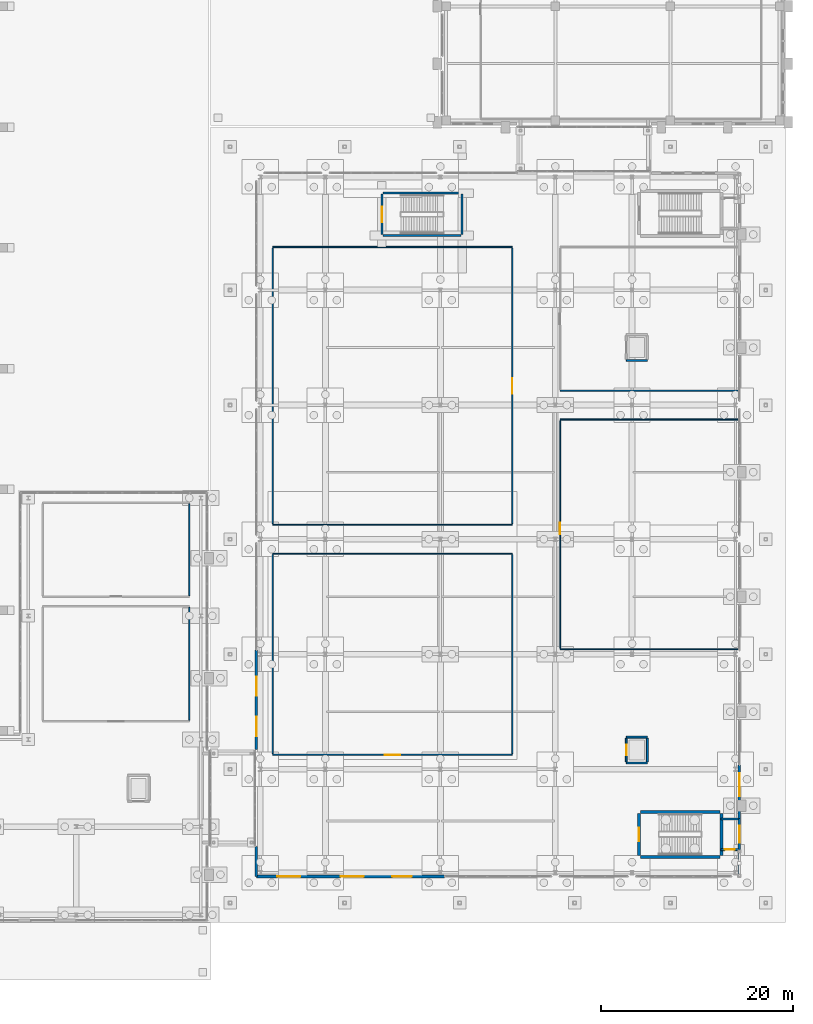
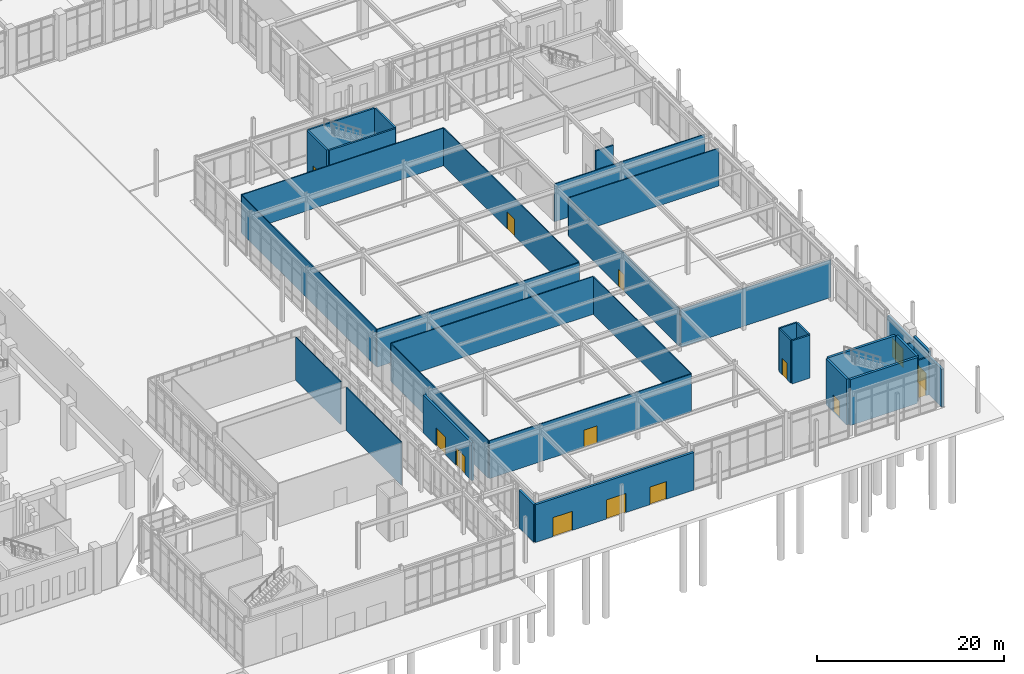
# One storey, part 116 of 143: 35 walls, 14 doors, 14 openings.
"""IFC4 building model written with IfcOpenShell, lengths in metres."""

from ifc_helpers import new_model, si_unit, derived_unit, direction, frame, frame_2d, origin, place, context, subcontext, project, spatial, rectangle, extrude, material, layer, layer_set, type_object, element, fill, save


model = new_model("IFC4")

# Units and contexts
model_context = context("Model", 3, precision=1e-05, world=origin(), true_north=direction((0.0, 1.0)))
body_context = subcontext(model_context, "Body", "Model", "MODEL_VIEW")
ifc_project = project(units=[si_unit("LENGTHUNIT", "METRE"), si_unit("AREAUNIT", "SQUARE_METRE"), si_unit("VOLUMEUNIT", "CUBIC_METRE"), si_unit("PLANEANGLEUNIT", "RADIAN"), si_unit("MASSUNIT", "GRAM", prefix="KILO"), derived_unit("THERMALTRANSMITTANCEUNIT", [(si_unit("MASSUNIT", "GRAM", prefix="KILO"), 1), (si_unit("TIMEUNIT", "SECOND"), -3), (si_unit("THERMODYNAMICTEMPERATUREUNIT", "KELVIN"), -1)])], contexts=[model_context])

# Site, building, storey
site_placement = place(None, origin())
site = spatial("IfcSite", under=ifc_project, at=site_placement, CompositionType="ELEMENT")
building_placement = place(site_placement, origin())
building = spatial("IfcBuilding", under=site, at=building_placement, Name="Valcora Ridge Arena", CompositionType="ELEMENT")
storey_placement = place(building_placement, origin())
storey = spatial("IfcBuildingStorey", under=building, at=storey_placement, Name="L00", CompositionType="ELEMENT", Elevation=0.0)

# Wall
ifc_material_1 = material(Name="Bush-hammered Andean travertine on concrete backup C40/50", Category="masonry")
ifc_layer_1 = layer(ifc_material_1, 0.280029296875, Name="Bush-hammered Andean travertine on concrete backup C40/50")
ifc_layer_set_1 = layer_set([ifc_layer_1], Name="Bush-hammered Andean travertine on concrete backup C40/50")
wall_type_1 = type_object("IfcWallType", Name="TY-WALL-EW-TRV-28-49", PredefinedType="STANDARD", material=ifc_layer_set_1)
wall_1_placement = place(storey_placement, frame((136.800048828125, 4.800048828125, 0.0), z_axis=(0.0, 0.0, 1.0), x_axis=(0.0, 1.0, 0.0)))
element("IfcWall", 1, at=wall_1_placement, inside=storey, type_object=wall_type_1, Name="EW-TRV-28-49 WAL-EW-0006", PredefinedType="STANDARD", context=body_context, shape_type="SweptSolid", body=[
    extrude(rectangle(XDim=3.14990234375, YDim=0.280029296875, at=frame_2d((1.574951171875, 0.0))), origin(), (0.0, 0.0, 1.0), 4.927001953125),
])

# Wall, openings, doors
wall_2_placement = place(storey_placement, frame((136.800048828125, 18.050048828125, 0.0), z_axis=(0.0, 0.0, 1.0), x_axis=(0.0, 1.0, 0.0)))
wall_2 = element("IfcWall", 2, at=wall_2_placement, inside=storey, type_object=wall_type_1, Name="EW-TRV-28-49 WAL-EW-0007", PredefinedType="STANDARD", context=body_context, shape_type="SweptSolid", body=[
    extrude(rectangle(XDim=10.369873046875, YDim=0.280029296875, at=frame_2d((5.18505859375, 0.0))), origin(), (0.0, 0.0, 1.0), 4.927001953125),
])
opening_1_placement = place(wall_2_placement, frame((1.39990234375, 0.0, 0.0)))
opening_1 = element("IfcOpeningElement", 3, at=opening_1_placement, cuts=wall_2, Name="Opening D-EXIT-2000", PredefinedType="OPENING", context=body_context, shape_type="SweptSolid", body=[
    extrude(rectangle(XDim=2.0, YDim=2.300048828125, at=frame_2d((1.0, 1.14990234375))), frame((0.0, 0.14990234375, 0.0), z_axis=(0.0, -1.0, 0.0), x_axis=(1.0, 0.0, 0.0)), (0.0, 0.0, 1.0), 0.300048828125),
])
opening_2_placement = place(wall_2_placement, frame((5.60009765625, 0.0, 0.0)))
opening_2 = element("IfcOpeningElement", 4, at=opening_2_placement, cuts=wall_2, Name="Opening D-EXIT-2000", PredefinedType="OPENING", context=body_context, shape_type="SweptSolid", body=[
    extrude(rectangle(XDim=2.0, YDim=2.300048828125, at=frame_2d((1.0, 1.14990234375))), frame((0.0, 0.14990234375, 0.0), z_axis=(0.0, -1.0, 0.0), x_axis=(1.0, 0.0, 0.0)), (0.0, 0.0, 1.0), 0.300048828125),
])
ifc_material_2 = material(Name="Thermally broken bronze aluminium glazed entrance leaf", Category="aluminium")
door_type_1 = type_object("IfcDoorType", Name="TY-DOOR-D-EXIT-2000", OperationType="NOTDEFINED", PredefinedType="DOOR", material=ifc_material_2)
door_1_placement = place(opening_1_placement, origin())
door_1 = element("IfcDoor", 5, at=door_1_placement, inside=storey, type_object=door_type_1, Name="D-EXIT-2000 DOR-EX-0003", OperationType="DOUBLE_DOOR_SINGLE_SWING", OverallHeight=2.300048828125, OverallWidth=2.0, PredefinedType="DOOR", context=body_context, shape_type="SweptSolid", body=[
    extrude(rectangle(XDim=2.0, YDim=2.300048828125, at=frame_2d((1.0, 1.14990234375))), frame((0.0, 0.02490234375, 0.0), z_axis=(0.0, -1.0, 0.0), x_axis=(1.0, 0.0, 0.0)), (0.0, 0.0, 1.0), 0.050048828125),
])
fill(opening_1, door_1)
door_2_placement = place(opening_2_placement, origin())
door_2 = element("IfcDoor", 6, at=door_2_placement, inside=storey, type_object=door_type_1, Name="D-EXIT-2000 DOR-EX-0004", OperationType="DOUBLE_DOOR_SINGLE_SWING", OverallHeight=2.300048828125, OverallWidth=2.0, PredefinedType="DOOR", context=body_context, shape_type="SweptSolid", body=[
    extrude(rectangle(XDim=2.0, YDim=2.300048828125, at=frame_2d((1.0, 1.14990234375))), frame((0.0, 0.02490234375, 0.0), z_axis=(0.0, -1.0, 0.0), x_axis=(1.0, 0.0, 0.0)), (0.0, 0.0, 1.0), 0.050048828125),
])
fill(opening_2, door_2)

wall_3_placement = place(storey_placement, frame((136.800048828125, 4.800048828125, 0.0), z_axis=(0.0, 0.0, 1.0), x_axis=(1.0, 0.0, 0.0)))
wall_3 = element("IfcWall", 7, at=wall_3_placement, inside=storey, type_object=wall_type_1, Name="EW-TRV-28-49 WAL-EW-0008", PredefinedType="STANDARD", context=body_context, shape_type="SweptSolid", body=[
    extrude(rectangle(XDim=19.619873046875, YDim=0.280029296875, at=frame_2d((9.81005859375, 0.0))), origin(), (0.0, 0.0, 1.0), 4.927001953125),
])
opening_3_placement = place(wall_3_placement, frame((2.199951171875, 0.0, 0.0)))
opening_3 = element("IfcOpeningElement", 8, at=opening_3_placement, cuts=wall_3, Name="Opening E-MAIN-2400", PredefinedType="OPENING", context=body_context, shape_type="SweptSolid", body=[
    extrude(rectangle(XDim=2.39990234375, YDim=2.5, at=frame_2d((1.199951171875, 1.25))), frame((0.0, 0.14990234375, 0.0), z_axis=(0.0, -1.0, 0.0), x_axis=(1.0, 0.0, 0.0)), (0.0, 0.0, 1.0), 0.300048828125),
])
opening_4_placement = place(wall_3_placement, frame((8.800048828125, 0.0, 0.0)))
opening_4 = element("IfcOpeningElement", 9, at=opening_4_placement, cuts=wall_3, Name="Opening E-MAIN-2400", PredefinedType="OPENING", context=body_context, shape_type="SweptSolid", body=[
    extrude(rectangle(XDim=2.39990234375, YDim=2.5, at=frame_2d((1.199951171875, 1.25))), frame((0.0, 0.14990234375, 0.0), z_axis=(0.0, -1.0, 0.0), x_axis=(1.0, 0.0, 0.0)), (0.0, 0.0, 1.0), 0.300048828125),
])
opening_5_placement = place(wall_3_placement, frame((14.199951171875, 0.0, 0.0)))
opening_5 = element("IfcOpeningElement", 10, at=opening_5_placement, cuts=wall_3, Name="Opening D-EXIT-2000", PredefinedType="OPENING", context=body_context, shape_type="SweptSolid", body=[
    extrude(rectangle(XDim=2.0, YDim=2.300048828125, at=frame_2d((1.0, 1.14990234375))), frame((0.0, 0.14990234375, 0.0), z_axis=(0.0, -1.0, 0.0), x_axis=(1.0, 0.0, 0.0)), (0.0, 0.0, 1.0), 0.300048828125),
])
door_3_placement = place(opening_5_placement, origin())
door_3 = element("IfcDoor", 11, at=door_3_placement, inside=storey, type_object=door_type_1, Name="D-EXIT-2000 DOR-EX-0007", OperationType="DOUBLE_DOOR_SINGLE_SWING", OverallHeight=2.300048828125, OverallWidth=2.0, PredefinedType="DOOR", context=body_context, shape_type="SweptSolid", body=[
    extrude(rectangle(XDim=2.0, YDim=2.300048828125, at=frame_2d((1.0, 1.14990234375))), frame((0.0, 0.02490234375, 0.0), z_axis=(0.0, -1.0, 0.0), x_axis=(1.0, 0.0, 0.0)), (0.0, 0.0, 1.0), 0.050048828125),
])
fill(opening_5, door_3)
door_type_2 = type_object("IfcDoorType", Name="TY-DOOR-E-MAIN-2400", OperationType="NOTDEFINED", PredefinedType="DOOR", material=ifc_material_2)
door_4_placement = place(opening_3_placement, origin())
door_4 = element("IfcDoor", 12, at=door_4_placement, inside=storey, type_object=door_type_2, Name="E-MAIN-2400 DOR-EX-0005", OperationType="DOUBLE_DOOR_SINGLE_SWING", OverallHeight=2.5, OverallWidth=2.39990234375, PredefinedType="DOOR", context=body_context, shape_type="SweptSolid", body=[
    extrude(rectangle(XDim=2.39990234375, YDim=2.5, at=frame_2d((1.199951171875, 1.25))), frame((0.0, 0.02490234375, 0.0), z_axis=(0.0, -1.0, 0.0), x_axis=(1.0, 0.0, 0.0)), (0.0, 0.0, 1.0), 0.050048828125),
])
fill(opening_3, door_4)
door_5_placement = place(opening_4_placement, origin())
door_5 = element("IfcDoor", 13, at=door_5_placement, inside=storey, type_object=door_type_2, Name="E-MAIN-2400 DOR-EX-0006", OperationType="DOUBLE_DOOR_SINGLE_SWING", OverallHeight=2.5, OverallWidth=2.39990234375, PredefinedType="DOOR", context=body_context, shape_type="SweptSolid", body=[
    extrude(rectangle(XDim=2.39990234375, YDim=2.5, at=frame_2d((1.199951171875, 1.25))), frame((0.0, 0.02490234375, 0.0), z_axis=(0.0, -1.0, 0.0), x_axis=(1.0, 0.0, 0.0)), (0.0, 0.0, 1.0), 0.050048828125),
])
fill(opening_4, door_5)

# Wall
wall_4_placement = place(storey_placement, frame((187.199951171875, 4.800048828125, 0.0), z_axis=(0.0, 0.0, 1.0), x_axis=(0.0, 1.0, 0.0)))
element("IfcWall", 14, at=wall_4_placement, inside=storey, type_object=wall_type_1, Name="EW-TRV-28-49 WAL-EW-0009", PredefinedType="STANDARD", context=body_context, shape_type="SweptSolid", body=[
    extrude(rectangle(XDim=2.800048828125, YDim=0.280029296875, at=frame_2d((1.39990234375, 0.0))), origin(), (0.0, 0.0, 1.0), 4.927001953125),
])

# Wall, opening, door
wall_5_placement = place(storey_placement, frame((187.199951171875, 10.800048828125, 0.0), z_axis=(0.0, 0.0, 1.0), x_axis=(0.0, 1.0, 0.0)))
wall_5 = element("IfcWall", 15, at=wall_5_placement, inside=storey, type_object=wall_type_1, Name="EW-TRV-28-49 WAL-EW-0010", PredefinedType="STANDARD", context=body_context, shape_type="SweptSolid", body=[
    extrude(rectangle(XDim=5.619873046875, YDim=0.280029296875, at=frame_2d((2.81005859375, 0.0))), origin(), (0.0, 0.0, 1.0), 4.927001953125),
])
opening_6_placement = place(wall_5_placement, frame((2.39990234375, 0.0, 0.0)))
opening_6 = element("IfcOpeningElement", 16, at=opening_6_placement, cuts=wall_5, Name="Opening E-MAIN-2400", PredefinedType="OPENING", context=body_context, shape_type="SweptSolid", body=[
    extrude(rectangle(XDim=2.39990234375, YDim=2.5, at=frame_2d((1.199951171875, 1.25))), frame((0.0, 0.14990234375, 0.0), z_axis=(0.0, -1.0, 0.0), x_axis=(1.0, 0.0, 0.0)), (0.0, 0.0, 1.0), 0.300048828125),
])
door_6_placement = place(opening_6_placement, origin())
door_6 = element("IfcDoor", 17, at=door_6_placement, inside=storey, type_object=door_type_2, Name="E-MAIN-2400 DOR-EX-0008", OperationType="DOUBLE_DOOR_SINGLE_SWING", OverallHeight=2.5, OverallWidth=2.39990234375, PredefinedType="DOOR", context=body_context, shape_type="SweptSolid", body=[
    extrude(rectangle(XDim=2.39990234375, YDim=2.5, at=frame_2d((1.199951171875, 1.25))), frame((0.0, 0.02490234375, 0.0), z_axis=(0.0, -1.0, 0.0), x_axis=(1.0, 0.0, 0.0)), (0.0, 0.0, 1.0), 0.050048828125),
])
fill(opening_6, door_6)

ifc_layer_2 = layer(ifc_material_1, 0.280029296875, Name="Bush-hammered Andean travertine on concrete backup C40/50")
ifc_layer_set_2 = layer_set([ifc_layer_2], Name="Bush-hammered Andean travertine on concrete backup C40/50")
wall_type_2 = type_object("IfcWallType", Name="TY-WALL-EW-TRV-XP-56", PredefinedType="STANDARD", material=ifc_layer_set_2)
wall_6_placement = place(storey_placement, frame((187.199951171875, 10.85009765625, 0.0), z_axis=(0.0, 0.0, 1.0), x_axis=(0.0, -1.0, 0.0)))
wall_6 = element("IfcWall", 18, at=wall_6_placement, inside=storey, type_object=wall_type_2, Name="EW-TRV-XP-56 WAL-XP-0035", PredefinedType="STANDARD", context=body_context, shape_type="SweptSolid", body=[
    extrude(rectangle(XDim=3.300048828125, YDim=0.280029296875, at=frame_2d((1.64990234375, 0.0))), origin(), (0.0, 0.0, 1.0), 5.6201171875),
])
opening_7_placement = place(wall_6_placement, frame((0.75, 0.0, 0.0)))
opening_7 = element("IfcOpeningElement", 19, at=opening_7_placement, cuts=wall_6, Name="Opening D-EXP-1800", PredefinedType="OPENING", context=body_context, shape_type="SweptSolid", body=[
    extrude(rectangle(XDim=1.800048828125, YDim=2.25, at=frame_2d((0.89990234375, 1.125))), frame((0.0, 0.14990234375, 0.0), z_axis=(0.0, -1.0, 0.0), x_axis=(1.0, 0.0, 0.0)), (0.0, 0.0, 1.0), 0.300048828125),
])
ifc_material_3 = material(Name="Insulated fire-rated steel door leaf", Category="steel")
door_type_3 = type_object("IfcDoorType", Name="TY-DOOR-D-EXP-1800", OperationType="NOTDEFINED", PredefinedType="DOOR", material=ifc_material_3)
door_7_placement = place(opening_7_placement, origin())
door_7 = element("IfcDoor", 20, at=door_7_placement, inside=storey, type_object=door_type_3, Name="Final Exit Discharge Door ST11", OperationType="DOUBLE_DOOR_SINGLE_SWING", OverallHeight=2.25, OverallWidth=1.800048828125, PredefinedType="DOOR", context=body_context, shape_type="SweptSolid", body=[
    extrude(rectangle(XDim=1.800048828125, YDim=2.25, at=frame_2d((0.89990234375, 1.125))), frame((0.0, 0.02490234375, 0.0), z_axis=(0.0, -1.0, 0.0), x_axis=(1.0, 0.0, 0.0)), (0.0, 0.0, 1.0), 0.050048828125),
])
fill(opening_7, door_7)

ifc_material_4 = material(Name="Fire-resisting reinforced concrete enclosure C40/50 200 mm", Category="concrete")
ifc_layer_3 = layer(ifc_material_4, 0.199951171875, Name="Fire-resisting reinforced concrete enclosure C40/50 200 mm")
ifc_layer_set_3 = layer_set([ifc_layer_3], Name="Fire-resisting reinforced concrete enclosure C40/50 200 mm")
wall_type_3 = type_object("IfcWallType", Name="TY-WALL-IW-FIRE-200", PredefinedType="STANDARD", material=ifc_layer_set_3)
wall_7_placement = place(storey_placement, frame((185.300048828125, 7.60009765625, 0.0), z_axis=(0.0, 0.0, 1.0), x_axis=(1.0, 0.0, 0.0)))
wall_7 = element("IfcWall", 21, at=wall_7_placement, inside=storey, type_object=wall_type_3, Name="IW-FIRE-200 WAL-XP-0036", PredefinedType="STANDARD", context=body_context, shape_type="SweptSolid", body=[
    extrude(rectangle(XDim=1.800048828125, YDim=0.199951171875, at=frame_2d((0.89990234375, 0.0))), origin(), (0.0, 0.0, 1.0), 4.927001953125),
])
opening_8_placement = place(wall_7_placement, frame((0.39990234375, 0.0, 0.0)))
opening_8 = element("IfcOpeningElement", 22, at=opening_8_placement, cuts=wall_7, Name="Opening FD-STE-1000", PredefinedType="OPENING", context=body_context, shape_type="SweptSolid", body=[
    extrude(rectangle(XDim=1.0, YDim=2.14990234375, at=frame_2d((0.5, 1.074951171875))), frame((0.0, 0.10986328125, 0.0), z_axis=(0.0, -1.0, 0.0), x_axis=(1.0, 0.0, 0.0)), (0.0, 0.0, 1.0), 0.219970703125),
])
door_type_4 = type_object("IfcDoorType", Name="TY-DOOR-FD-STE-1000", OperationType="NOTDEFINED", PredefinedType="DOOR", material=ifc_material_3)
door_8_placement = place(opening_8_placement, origin())
door_8 = element("IfcDoor", 23, at=door_8_placement, inside=storey, type_object=door_type_4, Name="FD-STE-1000 DOR-XP-0024", OperationType="SINGLE_SWING_LEFT", OverallHeight=2.14990234375, OverallWidth=1.0, PredefinedType="DOOR", context=body_context, shape_type="SweptSolid", body=[
    extrude(rectangle(XDim=1.0, YDim=2.14990234375, at=frame_2d((0.5, 1.074951171875))), frame((0.0, 0.02490234375, 0.0), z_axis=(0.0, -1.0, 0.0), x_axis=(1.0, 0.0, 0.0)), (0.0, 0.0, 1.0), 0.050048828125),
])
fill(opening_8, door_8)

# Walls
wall_8_placement = place(storey_placement, frame((185.300048828125, 10.800048828125, 0.0), z_axis=(0.0, 0.0, 1.0), x_axis=(1.0, 0.0, 0.0)))
element("IfcWall", 24, at=wall_8_placement, inside=storey, type_object=wall_type_3, Name="IW-FIRE-200 WAL-XP-0037", PredefinedType="STANDARD", context=body_context, shape_type="SweptSolid", body=[
    extrude(rectangle(XDim=1.800048828125, YDim=0.199951171875, at=frame_2d((0.89990234375, 0.0))), origin(), (0.0, 0.0, 1.0), 4.927001953125),
])
ifc_material_5 = material(Name="Acoustic metal-stud gypsum partition 120 mm")
ifc_layer_4 = layer(ifc_material_5, 0.1201171875, Name="Acoustic metal-stud gypsum partition 120 mm")
ifc_layer_set_4 = layer_set([ifc_layer_4], Name="Acoustic metal-stud gypsum partition 120 mm")
wall_type_4 = type_object("IfcWallType", Name="TY-WALL-IW-PART-120", PredefinedType="PARTITIONING", material=ifc_layer_set_4)
wall_9_placement = place(storey_placement, frame((129.800048828125, 21.1201171875, 0.0), z_axis=(0.0, 0.0, 1.0), x_axis=(0.0, 1.0, 0.0)))
element("IfcWall", 25, at=wall_9_placement, inside=storey, type_object=wall_type_4, Name="IW-PART-120 WAL-IN-0238", PredefinedType="PARTITIONING", context=body_context, shape_type="SweptSolid", body=[
    extrude(rectangle(XDim=11.759765625, YDim=0.1201171875, at=frame_2d((5.8798828125, 0.0))), origin(), (0.0, 0.0, 1.0), 5.639892578125),
])
wall_10_placement = place(storey_placement, frame((129.800048828125, 34.1201171875, 0.0), z_axis=(0.0, 0.0, 1.0), x_axis=(0.0, 1.0, 0.0)))
element("IfcWall", 26, at=wall_10_placement, inside=storey, type_object=wall_type_4, Name="IW-PART-120 WAL-IN-0242", PredefinedType="PARTITIONING", context=body_context, shape_type="SweptSolid", body=[
    extrude(rectangle(XDim=9.559814453125, YDim=0.1201171875, at=frame_2d((4.77978515625, 0.0))), origin(), (0.0, 0.0, 1.0), 5.639892578125),
])

# Wall, opening, door
wall_11_placement = place(storey_placement, frame((138.5, 17.5, 0.0), z_axis=(0.0, 0.0, 1.0), x_axis=(1.0, 0.0, 0.0)))
wall_11 = element("IfcWall", 27, at=wall_11_placement, inside=storey, type_object=wall_type_4, Name="IW-PART-120 WAL-IN-0243", PredefinedType="PARTITIONING", context=body_context, shape_type="SweptSolid", body=[
    extrude(rectangle(XDim=25.0, YDim=0.1201171875, at=frame_2d((12.5, 0.0))), origin(), (0.0, 0.0, 1.0), 4.927001953125),
])
opening_9_placement = place(wall_11_placement, frame((11.699951171875, 0.0, 0.0)))
opening_9 = element("IfcOpeningElement", 28, at=opening_9_placement, cuts=wall_11, Name="Opening D-PUB-1600", PredefinedType="OPENING", context=body_context, shape_type="SweptSolid", body=[
    extrude(rectangle(XDim=1.60009765625, YDim=2.25, at=frame_2d((0.800048828125, 1.125))), frame((0.0, 0.070068359375, 0.0), z_axis=(0.0, -1.0, 0.0), x_axis=(1.0, 0.0, 0.0)), (0.0, 0.0, 1.0), 0.14013671875),
])
ifc_material_6 = material(Name="Solid-core acoustic timber veneer door leaf", Category="wood")
door_type_5 = type_object("IfcDoorType", Name="TY-DOOR-D-PUB-1600", OperationType="NOTDEFINED", PredefinedType="DOOR", material=ifc_material_6)
door_9_placement = place(opening_9_placement, origin())
door_9 = element("IfcDoor", 29, at=door_9_placement, inside=storey, type_object=door_type_5, Name="D-PUB-1600 DOR-IN-0065", OperationType="DOUBLE_DOOR_SINGLE_SWING", OverallHeight=2.25, OverallWidth=1.60009765625, PredefinedType="DOOR", context=body_context, shape_type="SweptSolid", body=[
    extrude(rectangle(XDim=1.60009765625, YDim=2.25, at=frame_2d((0.800048828125, 1.125))), frame((0.0, 0.02490234375, 0.0), z_axis=(0.0, -1.0, 0.0), x_axis=(1.0, 0.0, 0.0)), (0.0, 0.0, 1.0), 0.050048828125),
])
fill(opening_9, door_9)

# Walls
wall_12_placement = place(storey_placement, frame((138.5, 38.5, 0.0), z_axis=(0.0, 0.0, 1.0), x_axis=(1.0, 0.0, 0.0)))
element("IfcWall", 30, at=wall_12_placement, inside=storey, type_object=wall_type_4, Name="IW-PART-120 WAL-IN-0244", PredefinedType="PARTITIONING", context=body_context, shape_type="SweptSolid", body=[
    extrude(rectangle(XDim=25.0, YDim=0.1201171875, at=frame_2d((12.5, 0.0))), origin(), (0.0, 0.0, 1.0), 4.927001953125),
])
for number, where, z_axis, x_axis, name in (
    (31, (138.5, 17.6201171875, 0.0), (0.0, 0.0, 1.0), (0.0, 1.0, 0.0), "IW-PART-120 WAL-IN-0245"),
    (32, (163.5, 17.6201171875, 0.0), (0.0, 0.0, 1.0), (0.0, 1.0, 0.0), "IW-PART-120 WAL-IN-0246"),
):
    element("IfcWall", number, at=place(storey_placement, frame(where, z_axis=z_axis, x_axis=x_axis)), inside=storey, type_object=wall_type_4, Name=name, PredefinedType="PARTITIONING", context=body_context, shape_type="SweptSolid", body=[
        extrude(rectangle(XDim=20.759765625, YDim=0.1201171875, at=frame_2d((10.3798828125, 0.0))), origin(), (0.0, 0.0, 1.0), 4.927001953125),
    ])
for number, where, z_axis, x_axis, name in (
    (33, (138.5, 41.5, 0.0), (0.0, 0.0, 1.0), (1.0, 0.0, 0.0), "IW-PART-120 WAL-IN-0247"),
    (34, (138.5, 70.5, 0.0), (0.0, 0.0, 1.0), (1.0, 0.0, 0.0), "IW-PART-120 WAL-IN-0248"),
):
    element("IfcWall", number, at=place(storey_placement, frame(where, z_axis=z_axis, x_axis=x_axis)), inside=storey, type_object=wall_type_4, Name=name, PredefinedType="PARTITIONING", context=body_context, shape_type="SweptSolid", body=[
        extrude(rectangle(XDim=25.0, YDim=0.1201171875, at=frame_2d((12.5, 0.0))), origin(), (0.0, 0.0, 1.0), 4.927001953125),
    ])
wall_13_placement = place(storey_placement, frame((138.5, 41.6201171875, 0.0), z_axis=(0.0, 0.0, 1.0), x_axis=(0.0, 1.0, 0.0)))
element("IfcWall", 35, at=wall_13_placement, inside=storey, type_object=wall_type_4, Name="IW-PART-120 WAL-IN-0249", PredefinedType="PARTITIONING", context=body_context, shape_type="SweptSolid", body=[
    extrude(rectangle(XDim=28.759765625, YDim=0.1201171875, at=frame_2d((14.3798828125, 0.0))), origin(), (0.0, 0.0, 1.0), 4.927001953125),
])

# Wall, opening, door
wall_14_placement = place(storey_placement, frame((163.5, 41.6201171875, 0.0), z_axis=(0.0, 0.0, 1.0), x_axis=(0.0, 1.0, 0.0)))
wall_14 = element("IfcWall", 36, at=wall_14_placement, inside=storey, type_object=wall_type_4, Name="IW-PART-120 WAL-IN-0250", PredefinedType="PARTITIONING", context=body_context, shape_type="SweptSolid", body=[
    extrude(rectangle(XDim=28.759765625, YDim=0.1201171875, at=frame_2d((14.3798828125, 0.0))), origin(), (0.0, 0.0, 1.0), 4.927001953125),
])
opening_10_placement = place(wall_14_placement, frame((13.580078125, 0.0, 0.0)))
opening_10 = element("IfcOpeningElement", 37, at=opening_10_placement, cuts=wall_14, Name="Opening D-PUB-1600", PredefinedType="OPENING", context=body_context, shape_type="SweptSolid", body=[
    extrude(rectangle(XDim=1.60009765625, YDim=2.25, at=frame_2d((0.800048828125, 1.125))), frame((0.0, 0.070068359375, 0.0), z_axis=(0.0, -1.0, 0.0), x_axis=(1.0, 0.0, 0.0)), (0.0, 0.0, 1.0), 0.14013671875),
])
door_10_placement = place(opening_10_placement, origin())
door_10 = element("IfcDoor", 38, at=door_10_placement, inside=storey, type_object=door_type_5, Name="D-PUB-1600 DOR-IN-0066", OperationType="DOUBLE_DOOR_SINGLE_SWING", OverallHeight=2.25, OverallWidth=1.60009765625, PredefinedType="DOOR", context=body_context, shape_type="SweptSolid", body=[
    extrude(rectangle(XDim=1.60009765625, YDim=2.25, at=frame_2d((0.800048828125, 1.125))), frame((0.0, 0.02490234375, 0.0), z_axis=(0.0, -1.0, 0.0), x_axis=(1.0, 0.0, 0.0)), (0.0, 0.0, 1.0), 0.050048828125),
])
fill(opening_10, door_10)

# Walls
for number, where, z_axis, x_axis, name in (
    (39, (168.5, 28.5, 0.0), (0.0, 0.0, 1.0), (1.0, 0.0, 0.0), "IW-PART-120 WAL-IN-0251"),
    (40, (168.5, 52.5, 0.0), (0.0, 0.0, 1.0), (1.0, 0.0, 0.0), "IW-PART-120 WAL-IN-0252"),
):
    element("IfcWall", number, at=place(storey_placement, frame(where, z_axis=z_axis, x_axis=x_axis)), inside=storey, type_object=wall_type_4, Name=name, PredefinedType="PARTITIONING", context=body_context, shape_type="SweptSolid", body=[
        extrude(rectangle(XDim=18.550048828125, YDim=0.1201171875, at=frame_2d((9.27490234375, 0.0))), origin(), (0.0, 0.0, 1.0), 4.927001953125),
    ])

# Wall, opening, door
wall_15_placement = place(storey_placement, frame((168.5, 28.6201171875, 0.0), z_axis=(0.0, 0.0, 1.0), x_axis=(0.0, 1.0, 0.0)))
wall_15 = element("IfcWall", 41, at=wall_15_placement, inside=storey, type_object=wall_type_4, Name="IW-PART-120 WAL-IN-0253", PredefinedType="PARTITIONING", context=body_context, shape_type="SweptSolid", body=[
    extrude(rectangle(XDim=23.759765625, YDim=0.1201171875, at=frame_2d((11.8798828125, 0.0))), origin(), (0.0, 0.0, 1.0), 4.927001953125),
])
opening_11_placement = place(wall_15_placement, frame((11.8798828125, 0.0, 0.0)))
opening_11 = element("IfcOpeningElement", 42, at=opening_11_placement, cuts=wall_15, Name="Opening D-ATH-1200", PredefinedType="OPENING", context=body_context, shape_type="SweptSolid", body=[
    extrude(rectangle(XDim=1.199951171875, YDim=2.199951171875, at=frame_2d((0.60009765625, 1.10009765625))), frame((0.0, 0.070068359375, 0.0), z_axis=(0.0, -1.0, 0.0), x_axis=(1.0, 0.0, 0.0)), (0.0, 0.0, 1.0), 0.14013671875),
])
door_type_6 = type_object("IfcDoorType", Name="TY-DOOR-D-ATH-1200", OperationType="NOTDEFINED", PredefinedType="DOOR", material=ifc_material_6)
door_11_placement = place(opening_11_placement, origin())
door_11 = element("IfcDoor", 43, at=door_11_placement, inside=storey, type_object=door_type_6, Name="D-ATH-1200 DOR-IN-0067", OperationType="SINGLE_SWING_LEFT", OverallHeight=2.199951171875, OverallWidth=1.199951171875, PredefinedType="DOOR", context=body_context, shape_type="SweptSolid", body=[
    extrude(rectangle(XDim=1.199951171875, YDim=2.199951171875, at=frame_2d((0.60009765625, 1.10009765625))), frame((0.0, 0.02490234375, 0.0), z_axis=(0.0, -1.0, 0.0), x_axis=(1.0, 0.0, 0.0)), (0.0, 0.0, 1.0), 0.050048828125),
])
fill(opening_11, door_11)

# Walls
wall_16_placement = place(storey_placement, frame((168.5, 55.5, 0.0), z_axis=(0.0, 0.0, 1.0), x_axis=(1.0, 0.0, 0.0)))
element("IfcWall", 44, at=wall_16_placement, inside=storey, type_object=wall_type_4, Name="IW-PART-120 WAL-IN-0254", PredefinedType="PARTITIONING", context=body_context, shape_type="SweptSolid", body=[
    extrude(rectangle(XDim=18.550048828125, YDim=0.1201171875, at=frame_2d((9.27490234375, 0.0))), origin(), (0.0, 0.0, 1.0), 4.927001953125),
])
ifc_material_7 = material(Name="Concrete C40/50", Category="concrete")
ifc_layer_5 = layer(ifc_material_7, 0.199951171875, Name="Concrete C40/50")
ifc_layer_set_5 = layer_set([ifc_layer_5], Name="Concrete C40/50")
wall_type_5 = type_object("IfcWallType", Name="TY-WALL-IW-SHF-200", PredefinedType="STANDARD", material=ifc_layer_set_5)
for number, where, z_axis, x_axis, name in (
    (45, (175.39990234375, 16.64990234375, 0.0), (0.0, 0.0, 1.0), (1.0, 0.0, 0.0), "IW-SHF-200 WAL-SH-0161"),
    (46, (175.39990234375, 19.35009765625, 0.0), (0.0, 0.0, 1.0), (1.0, 0.0, 0.0), "IW-SHF-200 WAL-SH-0162"),
):
    element("IfcWall", number, at=place(storey_placement, frame(where, z_axis=z_axis, x_axis=x_axis)), inside=storey, type_object=wall_type_5, Name=name, PredefinedType="STANDARD", context=body_context, shape_type="SweptSolid", body=[
        extrude(rectangle(XDim=2.2001953125, YDim=0.199951171875, at=frame_2d((1.10009765625, 0.0))), origin(), (0.0, 0.0, 1.0), 5.6201171875),
    ])

# Wall, opening, door
wall_17_placement = place(storey_placement, frame((175.39990234375, 16.77001953125, 0.0), z_axis=(0.0, 0.0, 1.0), x_axis=(0.0, 1.0, 0.0)))
wall_17 = element("IfcWall", 47, at=wall_17_placement, inside=storey, type_object=wall_type_5, Name="IW-SHF-200 WAL-SH-0163", PredefinedType="STANDARD", context=body_context, shape_type="SweptSolid", body=[
    extrude(rectangle(XDim=2.4599609375, YDim=0.199951171875, at=frame_2d((1.22998046875, 0.0))), origin(), (0.0, 0.0, 1.0), 5.6201171875),
])
opening_12_placement = place(wall_17_placement, frame((0.679931640625, 0.0, 0.0)))
opening_12 = element("IfcOpeningElement", 48, at=opening_12_placement, cuts=wall_17, Name="Opening LD-PAX", PredefinedType="OPENING", context=body_context, shape_type="SweptSolid", body=[
    extrude(rectangle(XDim=1.10009765625, YDim=2.14990234375, at=frame_2d((0.550048828125, 1.074951171875))), frame((0.0, 0.10986328125, 0.0), z_axis=(0.0, -1.0, 0.0), x_axis=(1.0, 0.0, 0.0)), (0.0, 0.0, 1.0), 0.219970703125),
])
ifc_material_8 = material(Name="Insulated fire-rated hollow metal steel", Category="steel")
door_type_7 = type_object("IfcDoorType", Name="TY-DOOR-LD-PAX", OperationType="NOTDEFINED", PredefinedType="DOOR", material=ifc_material_8)
door_12_placement = place(opening_12_placement, origin())
door_12 = element("IfcDoor", 49, at=door_12_placement, inside=storey, type_object=door_type_7, Name="PL6 Landing Door L00", OperationType="SLIDING_TO_LEFT", OverallHeight=2.14990234375, OverallWidth=1.10009765625, PredefinedType="DOOR", context=body_context, shape_type="SweptSolid", body=[
    extrude(rectangle(XDim=1.10009765625, YDim=2.14990234375, at=frame_2d((0.550048828125, 1.074951171875))), frame((0.0, 0.02490234375, 0.0), z_axis=(0.0, -1.0, 0.0), x_axis=(1.0, 0.0, 0.0)), (0.0, 0.0, 1.0), 0.050048828125),
])
fill(opening_12, door_12)

# Walls
wall_18_placement = place(storey_placement, frame((177.60009765625, 16.77001953125, 0.0), z_axis=(0.0, 0.0, 1.0), x_axis=(0.0, 1.0, 0.0)))
element("IfcWall", 50, at=wall_18_placement, inside=storey, type_object=wall_type_5, Name="IW-SHF-200 WAL-SH-0164", PredefinedType="STANDARD", context=body_context, shape_type="SweptSolid", body=[
    extrude(rectangle(XDim=2.4599609375, YDim=0.199951171875, at=frame_2d((1.22998046875, 0.0))), origin(), (0.0, 0.0, 1.0), 5.6201171875),
])
wall_19_placement = place(storey_placement, frame((175.39990234375, 58.64990234375, 0.0), z_axis=(0.0, 0.0, 1.0), x_axis=(1.0, 0.0, 0.0)))
element("IfcWall", 51, at=wall_19_placement, inside=storey, type_object=wall_type_5, Name="IW-SHF-200 WAL-SH-0233", PredefinedType="STANDARD", context=body_context, shape_type="SweptSolid", body=[
    extrude(rectangle(XDim=2.2001953125, YDim=0.199951171875, at=frame_2d((1.10009765625, 0.0))), origin(), (0.0, 0.0, 1.0), 4.927001953125),
])
ifc_material_9 = material(Name="Concrete C45/55", Category="concrete")
ifc_layer_6 = layer(ifc_material_9, 0.300048828125, Name="Concrete C45/55")
ifc_layer_set_6 = layer_set([ifc_layer_6], Name="Concrete C45/55")
wall_type_6 = type_object("IfcWallType", Name="TY-WALL-SW-C300-L", PredefinedType="SHEAR", material=ifc_layer_set_6)
for number, where, z_axis, x_axis, name in (
    (52, (176.8798828125, 6.85009765625, 0.0), (0.0, 0.0, 1.0), (1.0, 0.0, 0.0), "SW-C300-L WAL-CR-0217"),
    (53, (176.8798828125, 11.550048828125, 0.0), (0.0, 0.0, 1.0), (1.0, 0.0, 0.0), "SW-C300-L WAL-CR-0218"),
):
    element("IfcWall", number, at=place(storey_placement, frame(where, z_axis=z_axis, x_axis=x_axis)), inside=storey, type_object=wall_type_6, Name=name, PredefinedType="SHEAR", context=body_context, shape_type="SweptSolid", body=[
        extrude(rectangle(XDim=8.320068359375, YDim=0.300048828125, at=frame_2d((4.16015625, 0.0))), origin(), (0.0, 0.0, 1.0), 6.0),
    ])

# Wall, opening, door
ifc_layer_7 = layer(ifc_material_9, 0.300048828125, Name="Concrete C45/55")
ifc_layer_set_7 = layer_set([ifc_layer_7], Name="Concrete C45/55")
wall_type_7 = type_object("IfcWallType", Name="TY-WALL-SW-C300-S", PredefinedType="SHEAR", material=ifc_layer_set_7)
wall_20_placement = place(storey_placement, frame((176.72998046875, 7.0, 0.0), z_axis=(0.0, 0.0, 1.0), x_axis=(0.0, 1.0, 0.0)))
wall_20 = element("IfcWall", 54, at=wall_20_placement, inside=storey, type_object=wall_type_7, Name="SW-C300-S WAL-CR-0219", PredefinedType="SHEAR", context=body_context, shape_type="SweptSolid", body=[
    extrude(rectangle(XDim=4.39990234375, YDim=0.300048828125, at=frame_2d((2.199951171875, 0.0))), origin(), (0.0, 0.0, 1.0), 6.0),
])
opening_13_placement = place(wall_20_placement, frame((1.5, 0.0, 0.0)))
opening_13 = element("IfcOpeningElement", 55, at=opening_13_placement, cuts=wall_20, Name="Opening FD-01", PredefinedType="OPENING", context=body_context, shape_type="SweptSolid", body=[
    extrude(rectangle(XDim=1.39990234375, YDim=2.199951171875, at=frame_2d((0.699951171875, 1.10009765625))), frame((0.0, 0.159912109375, 0.0), z_axis=(0.0, -1.0, 0.0), x_axis=(1.0, 0.0, 0.0)), (0.0, 0.0, 1.0), 0.320068359375),
])
door_type_8 = type_object("IfcDoorType", Name="TY-DOOR-FD-01", OperationType="NOTDEFINED", PredefinedType="DOOR", material=ifc_material_3)
door_13_placement = place(opening_13_placement, origin())
door_13 = element("IfcDoor", 56, at=door_13_placement, inside=storey, type_object=door_type_8, Name="FD-01 DOR-ST-0055", OperationType="DOUBLE_DOOR_SINGLE_SWING", OverallHeight=2.199951171875, OverallWidth=1.39990234375, PredefinedType="DOOR", context=body_context, shape_type="SweptSolid", body=[
    extrude(rectangle(XDim=1.39990234375, YDim=2.199951171875, at=frame_2d((0.699951171875, 1.10009765625))), frame((0.0, 0.02490234375, 0.0), z_axis=(0.0, -1.0, 0.0), x_axis=(1.0, 0.0, 0.0)), (0.0, 0.0, 1.0), 0.050048828125),
])
fill(opening_13, door_13)

# Walls
wall_21_placement = place(storey_placement, frame((185.35009765625, 7.0, 0.0), z_axis=(0.0, 0.0, 1.0), x_axis=(0.0, 1.0, 0.0)))
element("IfcWall", 57, at=wall_21_placement, inside=storey, type_object=wall_type_7, Name="SW-C300-S WAL-CR-0220", PredefinedType="SHEAR", context=body_context, shape_type="SweptSolid", body=[
    extrude(rectangle(XDim=4.39990234375, YDim=0.300048828125, at=frame_2d((2.199951171875, 0.0))), origin(), (0.0, 0.0, 1.0), 6.0),
])
ifc_layer_8 = layer(ifc_material_4, 0.219970703125, Name="Fire-resisting reinforced concrete enclosure C40/50 200 mm")
ifc_layer_set_8 = layer_set([ifc_layer_8], Name="Fire-resisting reinforced concrete enclosure C40/50 200 mm")
wall_type_8 = type_object("IfcWallType", Name="TY-WALL-SW-ES-220", PredefinedType="SHEAR", material=ifc_layer_set_8)
for number, where, z_axis, x_axis, name in (
    (58, (150.0, 71.68994140625, -0.449951171875), (0.0, 0.0, 1.0), (1.0, 0.0, 0.0), "SW-ES-220 WAL-ES-0213"),
    (59, (150.0, 76.110107421875, -0.449951171875), (0.0, 0.0, 1.0), (1.0, 0.0, 0.0), "SW-ES-220 WAL-ES-0214"),
):
    element("IfcWall", number, at=place(storey_placement, frame(where, z_axis=z_axis, x_axis=x_axis)), inside=storey, type_object=wall_type_8, Name=name, PredefinedType="SHEAR", context=body_context, shape_type="SweptSolid", body=[
        extrude(rectangle(XDim=8.159912109375, YDim=0.219970703125, at=frame_2d((4.080078125, 0.0))), origin(), (0.0, 0.0, 1.0), 6.449951171875),
    ])

# Wall, opening, door
wall_22_placement = place(storey_placement, frame((149.889892578125, 71.800048828125, -0.449951171875), z_axis=(0.0, 0.0, 1.0), x_axis=(0.0, 1.0, 0.0)))
wall_22 = element("IfcWall", 60, at=wall_22_placement, inside=storey, type_object=wall_type_8, Name="SW-ES-220 WAL-ES-0215", PredefinedType="SHEAR", context=body_context, shape_type="SweptSolid", body=[
    extrude(rectangle(XDim=4.199951171875, YDim=0.219970703125, at=frame_2d((2.10009765625, 0.0))), origin(), (0.0, 0.0, 1.0), 6.449951171875),
])
opening_14_placement = place(wall_22_placement, frame((1.300048828125, 0.0, 0.449951171875)))
opening_14 = element("IfcOpeningElement", 61, at=opening_14_placement, cuts=wall_22, Name="Opening FD-02", PredefinedType="OPENING", context=body_context, shape_type="SweptSolid", body=[
    extrude(rectangle(XDim=1.60009765625, YDim=2.199951171875, at=frame_2d((0.800048828125, 1.10009765625))), frame((0.0, 0.119873046875, 0.0), z_axis=(0.0, -1.0, 0.0), x_axis=(1.0, 0.0, 0.0)), (0.0, 0.0, 1.0), 0.239990234375),
])
door_type_9 = type_object("IfcDoorType", Name="TY-DOOR-FD-02", OperationType="NOTDEFINED", PredefinedType="DOOR", material=ifc_material_3)
door_14_placement = place(opening_14_placement, origin())
door_14 = element("IfcDoor", 62, at=door_14_placement, inside=storey, type_object=door_type_9, Name="FD-02 DOR-ES-0048", OperationType="DOUBLE_DOOR_SINGLE_SWING", OverallHeight=2.199951171875, OverallWidth=1.60009765625, PredefinedType="DOOR", context=body_context, shape_type="SweptSolid", body=[
    extrude(rectangle(XDim=1.60009765625, YDim=2.199951171875, at=frame_2d((0.800048828125, 1.10009765625))), frame((0.0, 0.02490234375, 0.0), z_axis=(0.0, -1.0, 0.0), x_axis=(1.0, 0.0, 0.0)), (0.0, 0.0, 1.0), 0.050048828125),
])
fill(opening_14, door_14)

# Wall
wall_23_placement = place(storey_placement, frame((158.27001953125, 71.800048828125, -0.449951171875), z_axis=(0.0, 0.0, 1.0), x_axis=(0.0, 1.0, 0.0)))
element("IfcWall", 63, at=wall_23_placement, inside=storey, type_object=wall_type_8, Name="SW-ES-220 WAL-ES-0216", PredefinedType="SHEAR", context=body_context, shape_type="SweptSolid", body=[
    extrude(rectangle(XDim=4.199951171875, YDim=0.219970703125, at=frame_2d((2.10009765625, 0.0))), origin(), (0.0, 0.0, 1.0), 6.449951171875),
])

save(model, "model.ifc")
